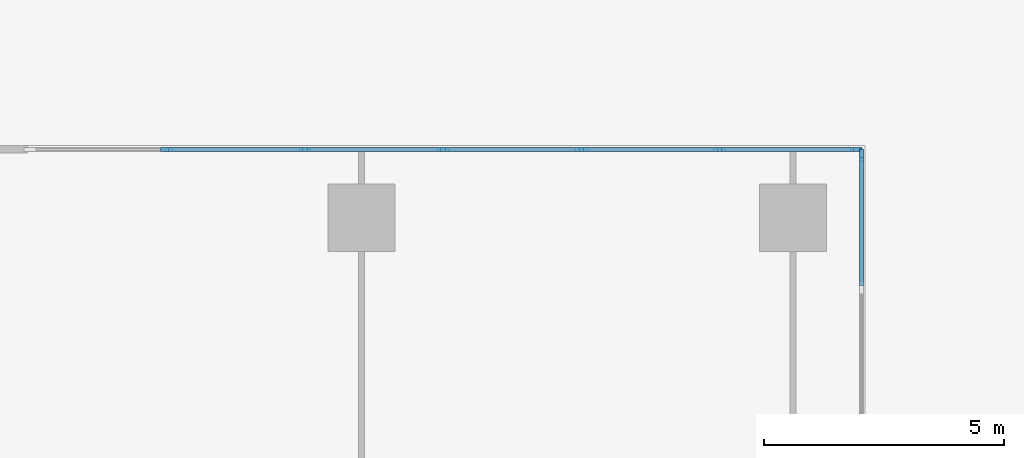
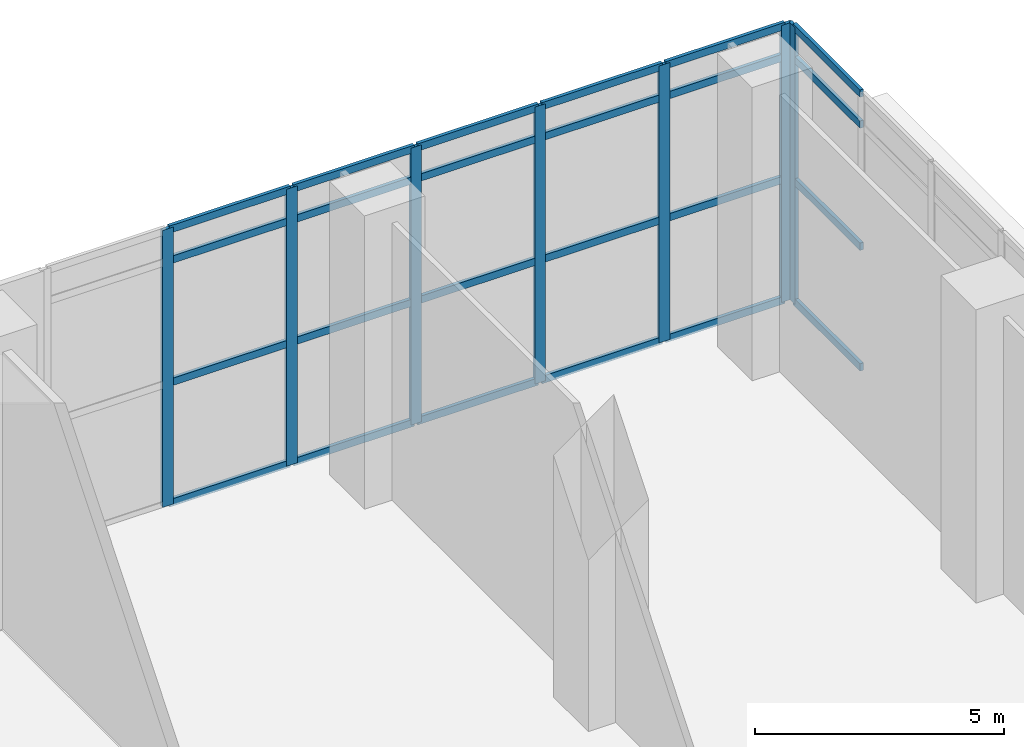
# One storey, part 11 of 34: 31 members, 2 elements without a shape of their own.
"""IFC4 building model written with IfcOpenShell, lengths in metres."""

from ifc_helpers import new_model, si_unit, direction, frame, origin, origin_2d, place, context, subcontext, project, spatial, rectangle, extrude, material, layer, layer_set, material_profile, profile_set, type_object, element, aggregate, save


model = new_model("IFC4")

# Units and contexts
model_context = context("Model", 3, precision=1e-05, world=origin(), true_north=direction((0.0, 1.0)))
body_context = subcontext(model_context, "Body", "Model", "MODEL_VIEW")
ifc_project = project(units=[si_unit("LENGTHUNIT", "METRE"), si_unit("AREAUNIT", "SQUARE_METRE"), si_unit("VOLUMEUNIT", "CUBIC_METRE"), si_unit("PLANEANGLEUNIT", "RADIAN"), si_unit("MASSUNIT", "GRAM", prefix="KILO")], contexts=[model_context])

# Site, building, storey
site_placement = place(None, origin())
site = spatial("IfcSite", under=ifc_project, at=site_placement, CompositionType="ELEMENT")
building_placement = place(site_placement, origin())
building = spatial("IfcBuilding", under=site, at=building_placement, Name="Chenar Terraces", CompositionType="ELEMENT")
storey_placement = place(building_placement, origin())
storey = spatial("IfcBuildingStorey", under=building, at=storey_placement, Name="L00", CompositionType="ELEMENT", Elevation=0.0)

# Curtain wall, member
ifc_material_1 = material(Name="Aluminium framed glazing", Category="aluminium")
ifc_layer = layer(ifc_material_1, 0.14990234375)
ifc_layer_set = layer_set([ifc_layer], Name="Aluminium framed glazing")
curtain_wall_type = type_object("IfcCurtainWallType", Name="Lobby curtain wall", PredefinedType="NOTDEFINED", material=ifc_layer_set)
placement = place(storey_placement, origin())
curtain_wall_1 = element("IfcCurtainWall", 1, at=placement, inside=storey, type_object=curtain_wall_type, Name="Lobby curtain wall", PredefinedType="NOTDEFINED")
ifc_material_2 = material(Name="Aluminium", Category="aluminium")
ifc_material_profile_1 = material_profile(ifc_material_2, rectangle(XDim=0.080078125, YDim=0.25, at=origin_2d()), Name="Lobby glazing mullion 80 x 250")
ifc_profile_set_1 = profile_set([ifc_material_profile_1], Name="Aluminium")
member_type_1 = type_object("IfcMemberType", Name="Lobby glazing mullion 80 x 250", PredefinedType="MULLION", material=ifc_profile_set_1)
member_1_placement = place(storey_placement, frame((73.425048828125, 73.31005859375, 0.0), z_axis=(0.0, 0.0, 1.0), x_axis=(-1.0, 0.0, 0.0)))
member_1 = element("IfcMember", 2, at=member_1_placement, type_object=member_type_1, Name="CW6-10b0 mullion 6", PredefinedType="MULLION", context=body_context, shape_type="SweptSolid", body=[
    extrude(rectangle(XDim=0.080078125, YDim=0.25, at=origin_2d()), origin(), (0.0, 0.0, 1.0), 6.800048828125),
])

# Curtain wall, members
curtain_wall_2 = element("IfcCurtainWall", 3, at=placement, inside=storey, type_object=curtain_wall_type, Name="Lobby curtain wall", PredefinedType="NOTDEFINED")
member_2_placement = place(storey_placement, frame((73.31005859375, 73.425048828125, 0.0), z_axis=(0.0, 0.0, 1.0), x_axis=(0.0, -1.0, 0.0)))
member_2 = element("IfcMember", 4, at=member_2_placement, type_object=member_type_1, Name="CW6-11a0 mullion 1", PredefinedType="MULLION", context=body_context, shape_type="SweptSolid", body=[
    extrude(rectangle(XDim=0.080078125, YDim=0.25, at=origin_2d()), origin(), (0.0, 0.0, 1.0), 6.800048828125),
])
member_3_placement = place(storey_placement, frame((70.468017578125, 73.425048828125, 0.0), z_axis=(0.0, 0.0, 1.0), x_axis=(0.0, -1.0, 0.0)))
member_3 = element("IfcMember", 5, at=member_3_placement, type_object=member_type_1, Name="CW6-11a0 mullion 2", PredefinedType="MULLION", context=body_context, shape_type="SweptSolid", body=[
    extrude(rectangle(XDim=0.080078125, YDim=0.25, at=origin_2d()), origin(), (0.0, 0.0, 1.0), 6.800048828125),
])
member_4_placement = place(storey_placement, frame((67.586181640625, 73.425048828125, 0.0), z_axis=(0.0, 0.0, 1.0), x_axis=(0.0, -1.0, 0.0)))
member_4 = element("IfcMember", 6, at=member_4_placement, type_object=member_type_1, Name="CW6-11a0 mullion 3", PredefinedType="MULLION", context=body_context, shape_type="SweptSolid", body=[
    extrude(rectangle(XDim=0.080078125, YDim=0.25, at=origin_2d()), origin(), (0.0, 0.0, 1.0), 6.800048828125),
])
member_5_placement = place(storey_placement, frame((64.704345703125, 73.425048828125, 0.0), z_axis=(0.0, 0.0, 1.0), x_axis=(0.0, -1.0, 0.0)))
member_5 = element("IfcMember", 7, at=member_5_placement, type_object=member_type_1, Name="CW6-11a0 mullion 4", PredefinedType="MULLION", context=body_context, shape_type="SweptSolid", body=[
    extrude(rectangle(XDim=0.080078125, YDim=0.25, at=origin_2d()), origin(), (0.0, 0.0, 1.0), 6.800048828125),
])
member_6_placement = place(storey_placement, frame((61.822265625, 73.425048828125, 0.0), z_axis=(0.0, 0.0, 1.0), x_axis=(0.0, -1.0, 0.0)))
member_6 = element("IfcMember", 8, at=member_6_placement, type_object=member_type_1, Name="CW6-11a0 mullion 5", PredefinedType="MULLION", context=body_context, shape_type="SweptSolid", body=[
    extrude(rectangle(XDim=0.080078125, YDim=0.25, at=origin_2d()), origin(), (0.0, 0.0, 1.0), 6.800048828125),
])
member_7_placement = place(storey_placement, frame((58.9404296875, 73.425048828125, 0.0), z_axis=(0.0, 0.0, 1.0), x_axis=(0.0, -1.0, 0.0)))
member_7 = element("IfcMember", 9, at=member_7_placement, type_object=member_type_1, Name="CW6-11a0 mullion 6", PredefinedType="MULLION", context=body_context, shape_type="SweptSolid", body=[
    extrude(rectangle(XDim=0.080078125, YDim=0.25, at=origin_2d()), origin(), (0.0, 0.0, 1.0), 6.800048828125),
])

# Member
ifc_material_3 = material(Name="Aluminium", Category="aluminium")
ifc_material_profile_2 = material_profile(ifc_material_3, rectangle(XDim=0.080078125, YDim=0.179931640625, at=origin_2d()), Name="Lobby glazing transom 80 x 180")
ifc_profile_set_2 = profile_set([ifc_material_profile_2], Name="Aluminium")
member_type_2 = type_object("IfcMemberType", Name="Lobby glazing transom 80 x 180", PredefinedType="USERDEFINED", material=ifc_profile_set_2)
member_8_placement = place(storey_placement, frame((73.425048828125, 70.572509765625, 0.0400390625), z_axis=(0.0, 1.0, 0.0), x_axis=(-1.0, 0.0, 0.0)))
member_8 = element("IfcMember", 10, at=member_8_placement, type_object=member_type_2, Name="CW6-10b0 transom 5.1", ObjectType="TRANSOM", PredefinedType="USERDEFINED", context=body_context, shape_type="SweptSolid", body=[
    extrude(rectangle(XDim=0.080078125, YDim=0.179931640625, at=origin_2d()), origin(), (0.0, 0.0, 1.0), 2.697509765625),
])

member_9_placement = place(storey_placement, frame((73.425048828125, 70.572509765625, 3.0), z_axis=(0.0, 1.0, 0.0), x_axis=(-1.0, 0.0, 0.0)))
member_9 = element("IfcMember", 11, at=member_9_placement, type_object=member_type_2, Name="CW6-10b0 transom 5.2", ObjectType="TRANSOM", PredefinedType="USERDEFINED", context=body_context, shape_type="SweptSolid", body=[
    extrude(rectangle(XDim=0.080078125, YDim=0.179931640625, at=origin_2d()), origin(), (0.0, 0.0, 1.0), 2.697509765625),
])

member_10_placement = place(storey_placement, frame((73.425048828125, 70.572509765625, 6.0), z_axis=(0.0, 1.0, 0.0), x_axis=(-1.0, 0.0, 0.0)))
member_10 = element("IfcMember", 12, at=member_10_placement, type_object=member_type_2, Name="CW6-10b0 transom 5.3", ObjectType="TRANSOM", PredefinedType="USERDEFINED", context=body_context, shape_type="SweptSolid", body=[
    extrude(rectangle(XDim=0.080078125, YDim=0.179931640625, at=origin_2d()), origin(), (0.0, 0.0, 1.0), 2.697509765625),
])

member_11_placement = place(storey_placement, frame((73.425048828125, 70.572509765625, 6.760009765625), z_axis=(0.0, 1.0, 0.0), x_axis=(-1.0, 0.0, 0.0)))
member_11 = element("IfcMember", 13, at=member_11_placement, type_object=member_type_2, Name="CW6-10b0 transom 5.4", ObjectType="TRANSOM", PredefinedType="USERDEFINED", context=body_context, shape_type="SweptSolid", body=[
    extrude(rectangle(XDim=0.080078125, YDim=0.179931640625, at=origin_2d()), origin(), (0.0, 0.0, 1.0), 2.697509765625),
])

aggregate(curtain_wall_1, [member_1, member_8, member_9, member_10, member_11])

member_12_placement = place(storey_placement, frame((73.27001953125, 73.425048828125, 0.0400390625), z_axis=(-1.0, 0.0, 0.0), x_axis=(0.0, -1.0, 0.0)))
member_12 = element("IfcMember", 14, at=member_12_placement, type_object=member_type_2, Name="CW6-11a0 transom 1.1", ObjectType="TRANSOM", PredefinedType="USERDEFINED", context=body_context, shape_type="SweptSolid", body=[
    extrude(rectangle(XDim=0.080078125, YDim=0.179931640625, at=origin_2d()), origin(), (0.0, 0.0, 1.0), 2.761962890625),
])

member_13_placement = place(storey_placement, frame((73.27001953125, 73.425048828125, 3.0), z_axis=(-1.0, 0.0, 0.0), x_axis=(0.0, -1.0, 0.0)))
member_13 = element("IfcMember", 15, at=member_13_placement, type_object=member_type_2, Name="CW6-11a0 transom 1.2", ObjectType="TRANSOM", PredefinedType="USERDEFINED", context=body_context, shape_type="SweptSolid", body=[
    extrude(rectangle(XDim=0.080078125, YDim=0.179931640625, at=origin_2d()), origin(), (0.0, 0.0, 1.0), 2.761962890625),
])

member_14_placement = place(storey_placement, frame((73.27001953125, 73.425048828125, 6.0), z_axis=(-1.0, 0.0, 0.0), x_axis=(0.0, -1.0, 0.0)))
member_14 = element("IfcMember", 16, at=member_14_placement, type_object=member_type_2, Name="CW6-11a0 transom 1.3", ObjectType="TRANSOM", PredefinedType="USERDEFINED", context=body_context, shape_type="SweptSolid", body=[
    extrude(rectangle(XDim=0.080078125, YDim=0.179931640625, at=origin_2d()), origin(), (0.0, 0.0, 1.0), 2.761962890625),
])

member_15_placement = place(storey_placement, frame((73.27001953125, 73.425048828125, 6.760009765625), z_axis=(-1.0, 0.0, 0.0), x_axis=(0.0, -1.0, 0.0)))
member_15 = element("IfcMember", 17, at=member_15_placement, type_object=member_type_2, Name="CW6-11a0 transom 1.4", ObjectType="TRANSOM", PredefinedType="USERDEFINED", context=body_context, shape_type="SweptSolid", body=[
    extrude(rectangle(XDim=0.080078125, YDim=0.179931640625, at=origin_2d()), origin(), (0.0, 0.0, 1.0), 2.761962890625),
])

member_16_placement = place(storey_placement, frame((70.427978515625, 73.425048828125, 0.0400390625), z_axis=(-1.0, 0.0, 0.0), x_axis=(0.0, -1.0, 0.0)))
member_16 = element("IfcMember", 18, at=member_16_placement, type_object=member_type_2, Name="CW6-11a0 transom 2.1", ObjectType="TRANSOM", PredefinedType="USERDEFINED", context=body_context, shape_type="SweptSolid", body=[
    extrude(rectangle(XDim=0.080078125, YDim=0.179931640625, at=origin_2d()), origin(), (0.0, 0.0, 1.0), 2.8017578125),
])

member_17_placement = place(storey_placement, frame((70.427978515625, 73.425048828125, 3.0), z_axis=(-1.0, 0.0, 0.0), x_axis=(0.0, -1.0, 0.0)))
member_17 = element("IfcMember", 19, at=member_17_placement, type_object=member_type_2, Name="CW6-11a0 transom 2.2", ObjectType="TRANSOM", PredefinedType="USERDEFINED", context=body_context, shape_type="SweptSolid", body=[
    extrude(rectangle(XDim=0.080078125, YDim=0.179931640625, at=origin_2d()), origin(), (0.0, 0.0, 1.0), 2.8017578125),
])

member_18_placement = place(storey_placement, frame((70.427978515625, 73.425048828125, 6.0), z_axis=(-1.0, 0.0, 0.0), x_axis=(0.0, -1.0, 0.0)))
member_18 = element("IfcMember", 20, at=member_18_placement, type_object=member_type_2, Name="CW6-11a0 transom 2.3", ObjectType="TRANSOM", PredefinedType="USERDEFINED", context=body_context, shape_type="SweptSolid", body=[
    extrude(rectangle(XDim=0.080078125, YDim=0.179931640625, at=origin_2d()), origin(), (0.0, 0.0, 1.0), 2.8017578125),
])

member_19_placement = place(storey_placement, frame((70.427978515625, 73.425048828125, 6.760009765625), z_axis=(-1.0, 0.0, 0.0), x_axis=(0.0, -1.0, 0.0)))
member_19 = element("IfcMember", 21, at=member_19_placement, type_object=member_type_2, Name="CW6-11a0 transom 2.4", ObjectType="TRANSOM", PredefinedType="USERDEFINED", context=body_context, shape_type="SweptSolid", body=[
    extrude(rectangle(XDim=0.080078125, YDim=0.179931640625, at=origin_2d()), origin(), (0.0, 0.0, 1.0), 2.8017578125),
])

member_20_placement = place(storey_placement, frame((67.546142578125, 73.425048828125, 0.0400390625), z_axis=(-1.0, 0.0, 0.0), x_axis=(0.0, -1.0, 0.0)))
member_20 = element("IfcMember", 22, at=member_20_placement, type_object=member_type_2, Name="CW6-11a0 transom 3.1", ObjectType="TRANSOM", PredefinedType="USERDEFINED", context=body_context, shape_type="SweptSolid", body=[
    extrude(rectangle(XDim=0.080078125, YDim=0.179931640625, at=origin_2d()), origin(), (0.0, 0.0, 1.0), 2.802001953125),
])

member_21_placement = place(storey_placement, frame((67.546142578125, 73.425048828125, 3.0), z_axis=(-1.0, 0.0, 0.0), x_axis=(0.0, -1.0, 0.0)))
member_21 = element("IfcMember", 23, at=member_21_placement, type_object=member_type_2, Name="CW6-11a0 transom 3.2", ObjectType="TRANSOM", PredefinedType="USERDEFINED", context=body_context, shape_type="SweptSolid", body=[
    extrude(rectangle(XDim=0.080078125, YDim=0.179931640625, at=origin_2d()), origin(), (0.0, 0.0, 1.0), 2.802001953125),
])

member_22_placement = place(storey_placement, frame((67.546142578125, 73.425048828125, 6.0), z_axis=(-1.0, 0.0, 0.0), x_axis=(0.0, -1.0, 0.0)))
member_22 = element("IfcMember", 24, at=member_22_placement, type_object=member_type_2, Name="CW6-11a0 transom 3.3", ObjectType="TRANSOM", PredefinedType="USERDEFINED", context=body_context, shape_type="SweptSolid", body=[
    extrude(rectangle(XDim=0.080078125, YDim=0.179931640625, at=origin_2d()), origin(), (0.0, 0.0, 1.0), 2.802001953125),
])

member_23_placement = place(storey_placement, frame((67.546142578125, 73.425048828125, 6.760009765625), z_axis=(-1.0, 0.0, 0.0), x_axis=(0.0, -1.0, 0.0)))
member_23 = element("IfcMember", 25, at=member_23_placement, type_object=member_type_2, Name="CW6-11a0 transom 3.4", ObjectType="TRANSOM", PredefinedType="USERDEFINED", context=body_context, shape_type="SweptSolid", body=[
    extrude(rectangle(XDim=0.080078125, YDim=0.179931640625, at=origin_2d()), origin(), (0.0, 0.0, 1.0), 2.802001953125),
])

member_24_placement = place(storey_placement, frame((64.664306640625, 73.425048828125, 0.0400390625), z_axis=(-1.0, 0.0, 0.0), x_axis=(0.0, -1.0, 0.0)))
member_24 = element("IfcMember", 26, at=member_24_placement, type_object=member_type_2, Name="CW6-11a0 transom 4.1", ObjectType="TRANSOM", PredefinedType="USERDEFINED", context=body_context, shape_type="SweptSolid", body=[
    extrude(rectangle(XDim=0.080078125, YDim=0.179931640625, at=origin_2d()), origin(), (0.0, 0.0, 1.0), 2.802001953125),
])

member_25_placement = place(storey_placement, frame((64.664306640625, 73.425048828125, 3.0), z_axis=(-1.0, 0.0, 0.0), x_axis=(0.0, -1.0, 0.0)))
member_25 = element("IfcMember", 27, at=member_25_placement, type_object=member_type_2, Name="CW6-11a0 transom 4.2", ObjectType="TRANSOM", PredefinedType="USERDEFINED", context=body_context, shape_type="SweptSolid", body=[
    extrude(rectangle(XDim=0.080078125, YDim=0.179931640625, at=origin_2d()), origin(), (0.0, 0.0, 1.0), 2.802001953125),
])

member_26_placement = place(storey_placement, frame((64.664306640625, 73.425048828125, 6.0), z_axis=(-1.0, 0.0, 0.0), x_axis=(0.0, -1.0, 0.0)))
member_26 = element("IfcMember", 28, at=member_26_placement, type_object=member_type_2, Name="CW6-11a0 transom 4.3", ObjectType="TRANSOM", PredefinedType="USERDEFINED", context=body_context, shape_type="SweptSolid", body=[
    extrude(rectangle(XDim=0.080078125, YDim=0.179931640625, at=origin_2d()), origin(), (0.0, 0.0, 1.0), 2.802001953125),
])

member_27_placement = place(storey_placement, frame((64.664306640625, 73.425048828125, 6.760009765625), z_axis=(-1.0, 0.0, 0.0), x_axis=(0.0, -1.0, 0.0)))
member_27 = element("IfcMember", 29, at=member_27_placement, type_object=member_type_2, Name="CW6-11a0 transom 4.4", ObjectType="TRANSOM", PredefinedType="USERDEFINED", context=body_context, shape_type="SweptSolid", body=[
    extrude(rectangle(XDim=0.080078125, YDim=0.179931640625, at=origin_2d()), origin(), (0.0, 0.0, 1.0), 2.802001953125),
])

member_28_placement = place(storey_placement, frame((61.7822265625, 73.425048828125, 0.0400390625), z_axis=(-1.0, 0.0, 0.0), x_axis=(0.0, -1.0, 0.0)))
member_28 = element("IfcMember", 30, at=member_28_placement, type_object=member_type_2, Name="CW6-11a0 transom 5.1", ObjectType="TRANSOM", PredefinedType="USERDEFINED", context=body_context, shape_type="SweptSolid", body=[
    extrude(rectangle(XDim=0.080078125, YDim=0.179931640625, at=origin_2d()), origin(), (0.0, 0.0, 1.0), 2.8017578125),
])

member_29_placement = place(storey_placement, frame((61.7822265625, 73.425048828125, 3.0), z_axis=(-1.0, 0.0, 0.0), x_axis=(0.0, -1.0, 0.0)))
member_29 = element("IfcMember", 31, at=member_29_placement, type_object=member_type_2, Name="CW6-11a0 transom 5.2", ObjectType="TRANSOM", PredefinedType="USERDEFINED", context=body_context, shape_type="SweptSolid", body=[
    extrude(rectangle(XDim=0.080078125, YDim=0.179931640625, at=origin_2d()), origin(), (0.0, 0.0, 1.0), 2.8017578125),
])

member_30_placement = place(storey_placement, frame((61.7822265625, 73.425048828125, 6.0), z_axis=(-1.0, 0.0, 0.0), x_axis=(0.0, -1.0, 0.0)))
member_30 = element("IfcMember", 32, at=member_30_placement, type_object=member_type_2, Name="CW6-11a0 transom 5.3", ObjectType="TRANSOM", PredefinedType="USERDEFINED", context=body_context, shape_type="SweptSolid", body=[
    extrude(rectangle(XDim=0.080078125, YDim=0.179931640625, at=origin_2d()), origin(), (0.0, 0.0, 1.0), 2.8017578125),
])

member_31_placement = place(storey_placement, frame((61.7822265625, 73.425048828125, 6.760009765625), z_axis=(-1.0, 0.0, 0.0), x_axis=(0.0, -1.0, 0.0)))
member_31 = element("IfcMember", 33, at=member_31_placement, type_object=member_type_2, Name="CW6-11a0 transom 5.4", ObjectType="TRANSOM", PredefinedType="USERDEFINED", context=body_context, shape_type="SweptSolid", body=[
    extrude(rectangle(XDim=0.080078125, YDim=0.179931640625, at=origin_2d()), origin(), (0.0, 0.0, 1.0), 2.8017578125),
])

aggregate(curtain_wall_2, [member_2, member_3, member_4, member_5, member_6, member_7, member_12, member_13, member_14, member_15, member_16, member_17, member_18, member_19, member_20, member_21, member_22, member_23, member_24, member_25, member_26, member_27, member_28, member_29, member_30, member_31])

save(model, "model.ifc")
